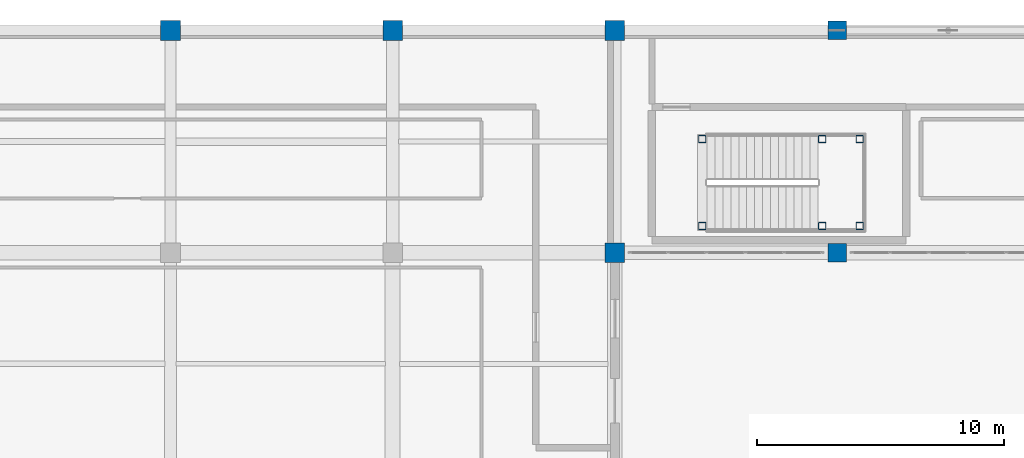
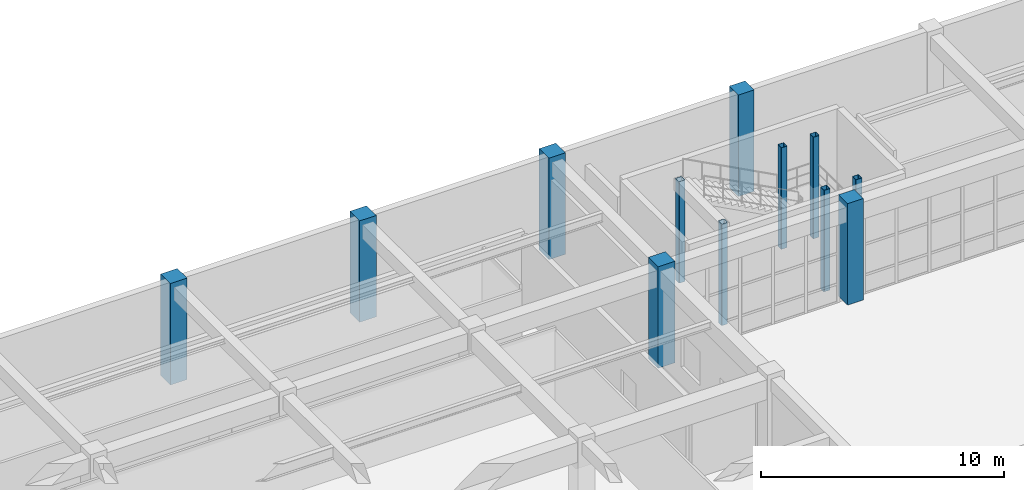
# One storey, part 13 of 128: 12 columns.
"""IFC4 building model written with IfcOpenShell, lengths in metres."""

from ifc_helpers import new_model, si_unit, direction, frame, origin, origin_2d, place, context, subcontext, project, spatial, rectangle, hollow_rectangle, extrude, material, material_profile, profile_set, type_object, element, save


model = new_model("IFC4")

# Units and contexts
model_context = context("Model", 3, precision=1e-05, world=origin(), true_north=direction((0.0, 1.0)))
body_context = subcontext(model_context, "Body", "Model", "MODEL_VIEW")
ifc_project = project(units=[si_unit("LENGTHUNIT", "METRE"), si_unit("AREAUNIT", "SQUARE_METRE"), si_unit("VOLUMEUNIT", "CUBIC_METRE"), si_unit("PLANEANGLEUNIT", "RADIAN"), si_unit("MASSUNIT", "GRAM", prefix="KILO")], contexts=[model_context])

# Site, building, storey
site_placement = place(None, origin())
site = spatial("IfcSite", under=ifc_project, at=site_placement, CompositionType="ELEMENT")
building_placement = place(site_placement, origin())
building = spatial("IfcBuilding", under=site, at=building_placement, Name="Miravela Opera House", CompositionType="ELEMENT")
storey_placement = place(building_placement, origin())
storey = spatial("IfcBuildingStorey", under=building, at=storey_placement, Name="L00", CompositionType="ELEMENT", Elevation=0.0)

# Columns
ifc_material_1 = material(Name="Hollow structural steel ASTM A500 Gr. C", Category="steel")
ifc_material_profile_1 = material_profile(ifc_material_1, hollow_rectangle(XDim=0.300048828125, YDim=0.300048828125, WallThickness=0.01611328125, InnerFilletRadius=0.01611328125, OuterFilletRadius=0.031982421875, at=origin_2d()), Name="HSS300X300X16")
ifc_profile_set_1 = profile_set([ifc_material_profile_1])
column_type_1 = type_object("IfcColumnType", Name="STR-COL-HSS300", PredefinedType="COLUMN", material=ifc_profile_set_1)
for number, where, z_axis, x_axis, name in (
    (1, (120.5400390625, 104.080078125, 0.0), (0.0, 0.0, 1.0), (1.0, 0.0, 0.0), "Stair ST-09 Landing Support Column 1 (L00)"),
    (2, (120.5400390625, 107.60009765625, 0.0), (0.0, 0.0, 1.0), (1.0, 0.0, 0.0), "Stair ST-09 Landing Support Column 2 (L00)"),
    (3, (125.39990234375, 104.080078125, 0.0), (0.0, 0.0, 1.0), (1.0, 0.0, 0.0), "Stair ST-09 Landing Support Column 3 (L00)"),
    (4, (125.39990234375, 107.60009765625, 0.0), (0.0, 0.0, 1.0), (1.0, 0.0, 0.0), "Stair ST-09 Landing Support Column 4 (L00)"),
    (5, (126.919921875, 104.080078125, 0.0), (0.0, 0.0, 1.0), (1.0, 0.0, 0.0), "Stair ST-09 Landing Support Column 5 (L00)"),
    (6, (126.919921875, 107.60009765625, 0.0), (0.0, 0.0, 1.0), (1.0, 0.0, 0.0), "Stair ST-09 Landing Support Column 6 (L00)"),
):
    element("IfcColumn", number, at=place(storey_placement, frame(where, z_axis=z_axis, x_axis=x_axis)), inside=storey, type_object=column_type_1, Name=name, PredefinedType="COLUMN", context=body_context, shape_type="SweptSolid", body=[
        extrude(hollow_rectangle(XDim=0.300048828125, YDim=0.300048828125, WallThickness=0.01611328125, InnerFilletRadius=0.01611328125, OuterFilletRadius=0.031982421875, at=origin_2d()), origin(), (0.0, 0.0, 1.0), 5.10009765625),
    ])
ifc_material_2 = material(Name="Concrete C35/45", Category="concrete")
ifc_material_profile_2 = material_profile(ifc_material_2, rectangle(XDim=0.75, YDim=0.75, at=origin_2d()), Name="RC-COL-750X750")
ifc_profile_set_2 = profile_set([ifc_material_profile_2])
column_type_2 = type_object("IfcColumnType", Name="STR-COL-RC750", PredefinedType="COLUMN", material=ifc_profile_set_2)
for number, where, z_axis, x_axis, name in (
    (7, (126.0, 103.0, 0.0), (0.0, 0.0, 1.0), (1.0, 0.0, 0.0), "Column C-15L (L00)"),
    (8, (126.0, 112.0, 0.0), (0.0, 0.0, 1.0), (1.0, 0.0, 0.0), "Column C-15M (L00)"),
):
    element("IfcColumn", number, at=place(storey_placement, frame(where, z_axis=z_axis, x_axis=x_axis)), inside=storey, type_object=column_type_2, Name=name, PredefinedType="COLUMN", context=body_context, shape_type="SweptSolid", body=[
        extrude(rectangle(XDim=0.75, YDim=0.75, at=origin_2d()), origin(), (0.0, 0.0, 1.0), 5.10009765625),
    ])
ifc_material_3 = material(Name="Concrete C40/50", Category="concrete")
ifc_material_profile_3 = material_profile(ifc_material_3, rectangle(XDim=0.800048828125, YDim=0.800048828125, at=origin_2d()), Name="RC-COL-800X800")
ifc_profile_set_3 = profile_set([ifc_material_profile_3])
column_type_3 = type_object("IfcColumnType", Name="STR-COL-RC800", PredefinedType="COLUMN", material=ifc_profile_set_3)
for number, where, z_axis, x_axis, name in (
    (9, (99.0, 112.0, 0.0), (0.0, 0.0, 1.0), (1.0, 0.0, 0.0), "Column C-12M (L00)"),
    (10, (108.0, 112.0, 0.0), (0.0, 0.0, 1.0), (1.0, 0.0, 0.0), "Column C-13M (L00)"),
    (11, (117.0, 103.0, 0.0), (0.0, 0.0, 1.0), (1.0, 0.0, 0.0), "Column C-14L (L00)"),
    (12, (117.0, 112.0, 0.0), (0.0, 0.0, 1.0), (1.0, 0.0, 0.0), "Column C-14M (L00)"),
):
    element("IfcColumn", number, at=place(storey_placement, frame(where, z_axis=z_axis, x_axis=x_axis)), inside=storey, type_object=column_type_3, Name=name, PredefinedType="COLUMN", context=body_context, shape_type="SweptSolid", body=[
        extrude(rectangle(XDim=0.800048828125, YDim=0.800048828125, at=origin_2d()), origin(), (0.0, 0.0, 1.0), 5.10009765625),
    ])

save(model, "model.ifc")
